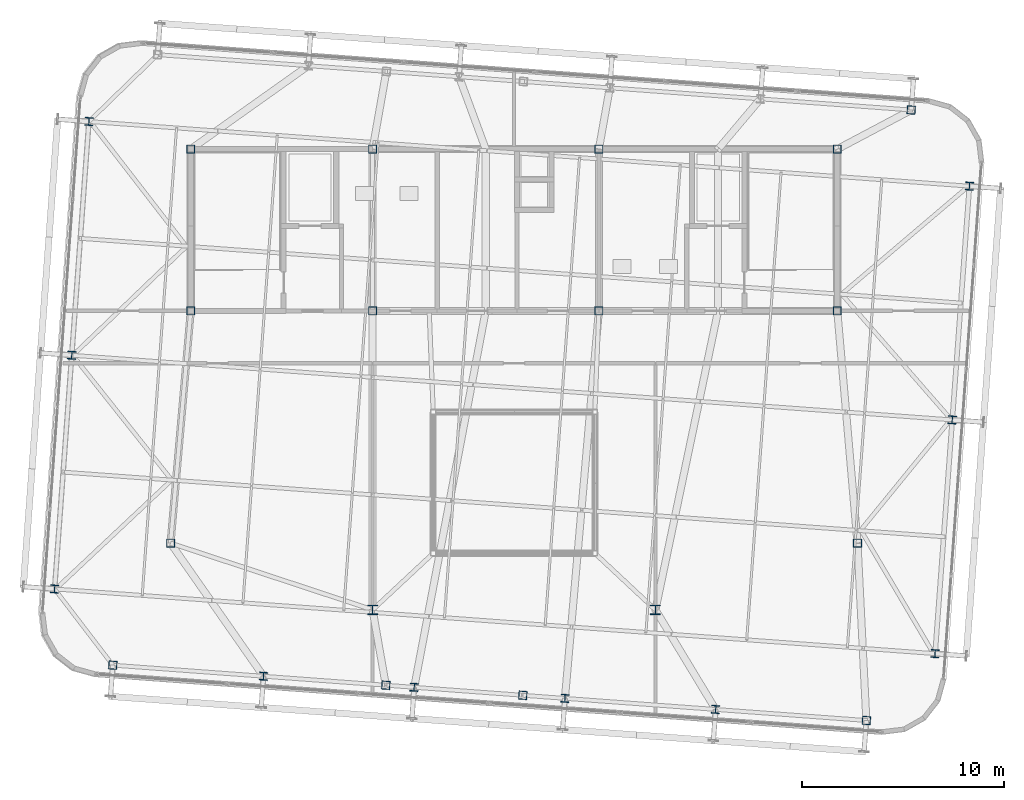
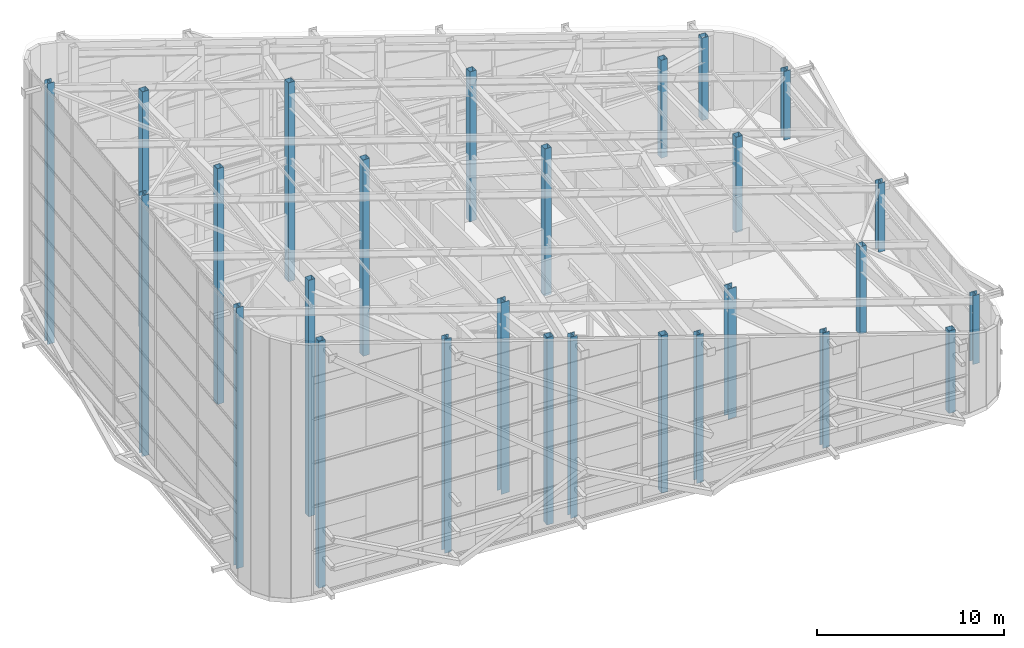
# One storey, part 1 of 56: 27 columns.
"""IFC4 building model written with IfcOpenShell, lengths in metres."""

from ifc_helpers import new_model, si_unit, direction, frame, origin, origin_2d, place, context, subcontext, project, spatial, hollow_rectangle, i_section, extrude, source, transform, mapped, material, material_profile, profile_set, type_object, element, save


model = new_model("IFC4")

# Units and contexts
model_context = context("Model", 3, precision=1e-05, world=origin(), true_north=direction((0.0, 1.0)))
body_context = subcontext(model_context, "Body", "Model", "MODEL_VIEW")
ifc_project = project(units=[si_unit("LENGTHUNIT", "METRE"), si_unit("AREAUNIT", "SQUARE_METRE"), si_unit("VOLUMEUNIT", "CUBIC_METRE"), si_unit("PLANEANGLEUNIT", "RADIAN"), si_unit("MASSUNIT", "GRAM", prefix="KILO")], contexts=[model_context])

# Site, building, storey
site_placement = place(None, origin())
site = spatial("IfcSite", under=ifc_project, at=site_placement, CompositionType="ELEMENT")
building_placement = place(site_placement, origin())
building = spatial("IfcBuilding", under=site, at=building_placement, Name="Taldren Reach Tower", CompositionType="ELEMENT")
storey_placement = place(building_placement, frame((0.0, 0.0, 253.050048828125)))
storey = spatial("IfcBuildingStorey", under=building, at=storey_placement, Name="L77", CompositionType="ELEMENT", Elevation=253.050048828125)

# Columns
ifc_material_1 = material(Name="Steel Gr 450 (C450L0)", Category="steel")
ifc_material_profile_1 = material_profile(ifc_material_1, hollow_rectangle(XDim=0.39990234375, YDim=0.39990234375, WallThickness=0.01611328125, at=origin_2d()), Name="400x400x16.0SHS")
ifc_profile_set_1 = profile_set([ifc_material_profile_1], Name="Steel Gr 450 (C450L0)")
column_type_1 = type_object("IfcColumnType", Name="COL-SHS400", PredefinedType="COLUMN", material=ifc_profile_set_1)
shared_shape_1 = source(origin(), body_context, "Body", "SweptSolid", [
    extrude(hollow_rectangle(XDim=0.39990234375, YDim=0.39990234375, WallThickness=0.01611328125, at=origin_2d()), origin(), (0.0, 0.0, 1.0), 15.37548828125),
])
column_1_placement = place(storey_placement, frame((19.0, 24.0, 0.0), z_axis=(0.0, 0.0, 1.0), x_axis=(1.0, 0.0, 0.0)))
element("IfcColumn", 1, at=column_1_placement, inside=storey, type_object=column_type_1, Name="Mega column MC-C1 L77", PredefinedType="COLUMN", context=body_context, shape_type="MappedRepresentation", body=[
    mapped(shared_shape_1, transform((0.0, 0.0, 0.0), scale=1.0)),
])
shared_shape_2 = source(origin(), body_context, "Body", "SweptSolid", [
    extrude(hollow_rectangle(XDim=0.39990234375, YDim=0.39990234375, WallThickness=0.01611328125, at=origin_2d()), origin(), (0.0, 0.0, 1.0), 12.802490234375),
])
column_2_placement = place(storey_placement, frame((28.0, 24.0, 0.0), z_axis=(0.0, 0.0, 1.0), x_axis=(1.0, 0.0, 0.0)))
element("IfcColumn", 2, at=column_2_placement, inside=storey, type_object=column_type_1, Name="Mega column MC-C2 L77", PredefinedType="COLUMN", context=body_context, shape_type="MappedRepresentation", body=[
    mapped(shared_shape_2, transform((0.0, 0.0, 0.0), scale=1.0)),
])
shared_shape_3 = source(origin(), body_context, "Body", "SweptSolid", [
    extrude(hollow_rectangle(XDim=0.39990234375, YDim=0.39990234375, WallThickness=0.01611328125, at=origin_2d()), origin(), (0.0, 0.0, 1.0), 9.600341796875),
])
column_3_placement = place(storey_placement, frame((39.199951171875, 24.0, 0.0), z_axis=(0.0, 0.0, 1.0), x_axis=(1.0, 0.0, 0.0)))
element("IfcColumn", 3, at=column_3_placement, inside=storey, type_object=column_type_1, Name="Mega column MC-C3 L77", PredefinedType="COLUMN", context=body_context, shape_type="MappedRepresentation", body=[
    mapped(shared_shape_3, transform((0.0, 0.0, 0.0), scale=1.0)),
])
shared_shape_4 = source(origin(), body_context, "Body", "SweptSolid", [
    extrude(hollow_rectangle(XDim=0.39990234375, YDim=0.39990234375, WallThickness=0.01611328125, at=origin_2d()), origin(), (0.0, 0.0, 1.0), 6.226806640625),
])
column_4_placement = place(storey_placement, frame((51.0, 24.0, 0.0), z_axis=(0.0, 0.0, 1.0), x_axis=(1.0, 0.0, 0.0)))
element("IfcColumn", 4, at=column_4_placement, inside=storey, type_object=column_type_1, Name="Mega column MC-C4 L77", PredefinedType="COLUMN", context=body_context, shape_type="MappedRepresentation", body=[
    mapped(shared_shape_4, transform((0.0, 0.0, 0.0), scale=1.0)),
])
shared_shape_5 = source(origin(), body_context, "Body", "SweptSolid", [
    extrude(hollow_rectangle(XDim=0.39990234375, YDim=0.39990234375, WallThickness=0.01611328125, at=origin_2d()), origin(), (0.0, 0.0, 1.0), 15.54345703125),
])
column_5_placement = place(storey_placement, frame((19.0, 32.0, 0.0), z_axis=(0.0, 0.0, 1.0), x_axis=(1.0, 0.0, 0.0)))
element("IfcColumn", 5, at=column_5_placement, inside=storey, type_object=column_type_1, Name="Mega column MC-C5 L77", PredefinedType="COLUMN", context=body_context, shape_type="MappedRepresentation", body=[
    mapped(shared_shape_5, transform((0.0, 0.0, 0.0), scale=1.0)),
])
shared_shape_6 = source(origin(), body_context, "Body", "SweptSolid", [
    extrude(hollow_rectangle(XDim=0.39990234375, YDim=0.39990234375, WallThickness=0.01611328125, at=origin_2d()), origin(), (0.0, 0.0, 1.0), 12.970458984375),
])
column_6_placement = place(storey_placement, frame((28.0, 32.0, 0.0), z_axis=(0.0, 0.0, 1.0), x_axis=(1.0, 0.0, 0.0)))
element("IfcColumn", 6, at=column_6_placement, inside=storey, type_object=column_type_1, Name="Mega column MC-C6 L77", PredefinedType="COLUMN", context=body_context, shape_type="MappedRepresentation", body=[
    mapped(shared_shape_6, transform((0.0, 0.0, 0.0), scale=1.0)),
])
shared_shape_7 = source(origin(), body_context, "Body", "SweptSolid", [
    extrude(hollow_rectangle(XDim=0.39990234375, YDim=0.39990234375, WallThickness=0.01611328125, at=origin_2d()), origin(), (0.0, 0.0, 1.0), 9.768310546875),
])
column_7_placement = place(storey_placement, frame((39.199951171875, 32.0, 0.0), z_axis=(0.0, 0.0, 1.0), x_axis=(1.0, 0.0, 0.0)))
element("IfcColumn", 7, at=column_7_placement, inside=storey, type_object=column_type_1, Name="Mega column MC-C7 L77", PredefinedType="COLUMN", context=body_context, shape_type="MappedRepresentation", body=[
    mapped(shared_shape_7, transform((0.0, 0.0, 0.0), scale=1.0)),
])
shared_shape_8 = source(origin(), body_context, "Body", "SweptSolid", [
    extrude(hollow_rectangle(XDim=0.39990234375, YDim=0.39990234375, WallThickness=0.01611328125, at=origin_2d()), origin(), (0.0, 0.0, 1.0), 6.394775390625),
])
column_8_placement = place(storey_placement, frame((51.0, 32.0, 0.0), z_axis=(0.0, 0.0, 1.0), x_axis=(1.0, 0.0, 0.0)))
element("IfcColumn", 8, at=column_8_placement, inside=storey, type_object=column_type_1, Name="Mega column MC-C8 L77", PredefinedType="COLUMN", context=body_context, shape_type="MappedRepresentation", body=[
    mapped(shared_shape_8, transform((0.0, 0.0, 0.0), scale=1.0)),
])
ifc_material_2 = material(Name="Steel Gr 350 (350PLUS)", Category="steel")
ifc_material_profile_2 = material_profile(ifc_material_2, i_section(OverallWidth=0.5, OverallDepth=0.464111328125, WebThickness=0.02197265625, FlangeThickness=0.033935546875, at=origin_2d()), Name="500WC340")
ifc_profile_set_2 = profile_set([ifc_material_profile_2], Name="Steel Gr 350 (350PLUS)")
column_type_2 = type_object("IfcColumnType", Name="COL-WC500B", PredefinedType="COLUMN", material=ifc_profile_set_2)
shared_shape_9 = source(origin(), body_context, "Body", "SweptSolid", [
    extrude(i_section(OverallWidth=0.5, OverallDepth=0.464111328125, WebThickness=0.02197265625, FlangeThickness=0.033935546875, at=origin_2d()), origin(), (0.0, 0.0, 1.0), 12.49169921875),
])
column_9_placement = place(storey_placement, frame((28.0, 9.199951171875, 0.0), z_axis=(0.0, 0.0, 1.0), x_axis=(1.0, 0.0, 0.0)))
element("IfcColumn", 9, at=column_9_placement, inside=storey, type_object=column_type_2, Name="Mega column MC-PJW L77", PredefinedType="COLUMN", context=body_context, shape_type="MappedRepresentation", body=[
    mapped(shared_shape_9, transform((0.0, 0.0, 0.0), scale=1.0)),
])
shared_shape_10 = source(origin(), body_context, "Body", "SweptSolid", [
    extrude(i_section(OverallWidth=0.5, OverallDepth=0.464111328125, WebThickness=0.02197265625, FlangeThickness=0.033935546875, at=origin_2d()), origin(), (0.0, 0.0, 1.0), 8.4892578125),
])
column_10_placement = place(storey_placement, frame((42.0, 9.199951171875, 0.0), z_axis=(0.0, 0.0, 1.0), x_axis=(1.0, 0.0, 0.0)))
element("IfcColumn", 10, at=column_10_placement, inside=storey, type_object=column_type_2, Name="Mega column MC-PJE L77", PredefinedType="COLUMN", context=body_context, shape_type="MappedRepresentation", body=[
    mapped(shared_shape_10, transform((0.0, 0.0, 0.0), scale=1.0)),
])
shared_shape_11 = source(origin(), body_context, "Body", "SweptSolid", [
    extrude(hollow_rectangle(XDim=0.39990234375, YDim=0.39990234375, WallThickness=0.01611328125, at=origin_2d()), origin(), (0.0, 0.0, 1.0), 15.419921875),
])
column_11_placement = place(storey_placement, frame((18.0, 12.5, 0.0), z_axis=(0.0, 0.0, 1.0), x_axis=(1.0, 0.0, 0.0)))
element("IfcColumn", 11, at=column_11_placement, inside=storey, type_object=column_type_1, Name="Mega column MC-SW L77", PredefinedType="COLUMN", context=body_context, shape_type="MappedRepresentation", body=[
    mapped(shared_shape_11, transform((0.0, 0.0, 0.0), scale=1.0)),
])
shared_shape_12 = source(origin(), body_context, "Body", "SweptSolid", [
    extrude(hollow_rectangle(XDim=0.39990234375, YDim=0.39990234375, WallThickness=0.01611328125, at=origin_2d()), origin(), (0.0, 0.0, 1.0), 5.699462890625),
])
column_12_placement = place(storey_placement, frame((52.0, 12.5, 0.0), z_axis=(0.0, 0.0, 1.0), x_axis=(1.0, 0.0, 0.0)))
element("IfcColumn", 12, at=column_12_placement, inside=storey, type_object=column_type_1, Name="Mega column MC-SE L77", PredefinedType="COLUMN", context=body_context, shape_type="MappedRepresentation", body=[
    mapped(shared_shape_12, transform((0.0, 0.0, 0.0), scale=1.0)),
])
shared_shape_13 = source(origin(), body_context, "Body", "SweptSolid", [
    extrude(hollow_rectangle(XDim=0.39990234375, YDim=0.39990234375, WallThickness=0.01611328125, at=origin_2d()), origin(), (0.0, 0.0, 1.0), 16.110595703125),
])
column_13_placement = place(storey_placement, frame((15.140625, 6.460205078125, 0.0), z_axis=(0.0, 0.0, 1.0), x_axis=(0.997314477224, -0.073238197128, 0.0)))
element("IfcColumn", 13, at=column_13_placement, inside=storey, type_object=column_type_1, Name="Block B5 perimeter column S1 L77", PredefinedType="COLUMN", context=body_context, shape_type="MappedRepresentation", body=[
    mapped(shared_shape_13, transform((0.0, 0.0, 0.0), scale=1.0)),
])
ifc_material_profile_3 = material_profile(ifc_material_2, i_section(OverallWidth=0.39990234375, OverallDepth=0.39599609375, WebThickness=0.02197265625, FlangeThickness=0.033935546875, at=origin_2d()), Name="400WC270")
ifc_profile_set_3 = profile_set([ifc_material_profile_3], Name="Steel Gr 350 (350PLUS)")
column_type_3 = type_object("IfcColumnType", Name="COL-WC400", PredefinedType="COLUMN", material=ifc_profile_set_3)
shared_shape_14 = source(origin(), body_context, "Body", "SweptSolid", [
    extrude(i_section(OverallWidth=0.39990234375, OverallDepth=0.39599609375, WebThickness=0.02197265625, FlangeThickness=0.033935546875, at=origin_2d()), origin(), (0.0, 0.0, 1.0), 13.96630859375),
])
column_14_placement = place(storey_placement, frame((22.6005859375, 5.912353515625, 0.0), z_axis=(0.0, 0.0, 1.0), x_axis=(0.997314477224, -0.073238197128, 0.0)))
element("IfcColumn", 14, at=column_14_placement, inside=storey, type_object=column_type_3, Name="Block B5 perimeter column S2 L77", PredefinedType="COLUMN", context=body_context, shape_type="MappedRepresentation", body=[
    mapped(shared_shape_14, transform((0.0, 0.0, 0.0), scale=1.0)),
])
shared_shape_15 = source(origin(), body_context, "Body", "SweptSolid", [
    extrude(i_section(OverallWidth=0.39990234375, OverallDepth=0.39599609375, WebThickness=0.02197265625, FlangeThickness=0.033935546875, at=origin_2d()), origin(), (0.0, 0.0, 1.0), 11.822021484375),
])
column_15_placement = place(storey_placement, frame((30.060546875, 5.364501953125, 0.0), z_axis=(0.0, 0.0, 1.0), x_axis=(0.997314477224, -0.073238197128, 0.0)))
element("IfcColumn", 15, at=column_15_placement, inside=storey, type_object=column_type_3, Name="Block B5 perimeter column S3 L77", PredefinedType="COLUMN", context=body_context, shape_type="MappedRepresentation", body=[
    mapped(shared_shape_15, transform((0.0, 0.0, 0.0), scale=1.0)),
])
shared_shape_16 = source(origin(), body_context, "Body", "SweptSolid", [
    extrude(i_section(OverallWidth=0.39990234375, OverallDepth=0.39599609375, WebThickness=0.02197265625, FlangeThickness=0.033935546875, at=origin_2d()), origin(), (0.0, 0.0, 1.0), 9.677734375),
])
column_16_placement = place(storey_placement, frame((37.5205078125, 4.81689453125, 0.0), z_axis=(0.0, 0.0, 1.0), x_axis=(0.997314477224, -0.073238197128, 0.0)))
element("IfcColumn", 16, at=column_16_placement, inside=storey, type_object=column_type_3, Name="Block B5 perimeter column S4 L77", PredefinedType="COLUMN", context=body_context, shape_type="MappedRepresentation", body=[
    mapped(shared_shape_16, transform((0.0, 0.0, 0.0), scale=1.0)),
])
shared_shape_17 = source(origin(), body_context, "Body", "SweptSolid", [
    extrude(i_section(OverallWidth=0.39990234375, OverallDepth=0.39599609375, WebThickness=0.02197265625, FlangeThickness=0.033935546875, at=origin_2d()), origin(), (0.0, 0.0, 1.0), 7.533447265625),
])
column_17_placement = place(storey_placement, frame((44.980224609375, 4.26904296875, 0.0), z_axis=(0.0, 0.0, 1.0), x_axis=(0.997314477224, -0.073238197128, 0.0)))
element("IfcColumn", 17, at=column_17_placement, inside=storey, type_object=column_type_3, Name="Block B5 perimeter column S5 L77", PredefinedType="COLUMN", context=body_context, shape_type="MappedRepresentation", body=[
    mapped(shared_shape_17, transform((0.0, 0.0, 0.0), scale=1.0)),
])
shared_shape_18 = source(origin(), body_context, "Body", "SweptSolid", [
    extrude(hollow_rectangle(XDim=0.39990234375, YDim=0.39990234375, WallThickness=0.01611328125, at=origin_2d()), origin(), (0.0, 0.0, 1.0), 5.389404296875),
])
for number, where, z_axis, x_axis, name in (
    (18, (52.440185546875, 3.72119140625, 0.0), (0.0, 0.0, 1.0), (0.997314477224, -0.073238197128, 0.0), "Block B5 perimeter column S6 L77"),
    (19, (54.659423828125, 33.939697265625, 0.0), (0.0, 0.0, 1.0), (0.997314477224, -0.073238197128, 0.0), "Block B5 perimeter column N6 L77"),
):
    element("IfcColumn", number, at=place(storey_placement, frame(where, z_axis=z_axis, x_axis=x_axis)), inside=storey, type_object=column_type_1, Name=name, PredefinedType="COLUMN", context=body_context, shape_type="MappedRepresentation", body=[
        mapped(shared_shape_18, transform((0.0, 0.0, 0.0), scale=1.0)),
    ])
shared_shape_19 = source(origin(), body_context, "Body", "SweptSolid", [
    extrude(i_section(OverallWidth=0.39990234375, OverallDepth=0.39599609375, WebThickness=0.02197265625, FlangeThickness=0.033935546875, at=origin_2d()), origin(), (0.0, 0.0, 1.0), 17.013671875),
])
for number, where, z_axis, x_axis, name in (
    (20, (12.259033203125, 10.2314453125, 0.0), (0.0, 0.0, 1.0), (0.997314477224, -0.073238197128, 0.0), "Block B5 perimeter column W1 L77"),
    (21, (13.108642578125, 21.80029296875, 0.0), (0.0, 0.0, 1.0), (0.997314477224, -0.073238197128, 0.0), "Block B5 perimeter column W2 L77"),
    (22, (13.958251953125, 33.369140625, 0.0), (0.0, 0.0, 1.0), (0.997314477224, -0.073238197128, 0.0), "Block B5 perimeter column W3 L77"),
):
    element("IfcColumn", number, at=place(storey_placement, frame(where, z_axis=z_axis, x_axis=x_axis)), inside=storey, type_object=column_type_3, Name=name, PredefinedType="COLUMN", context=body_context, shape_type="MappedRepresentation", body=[
        mapped(shared_shape_19, transform((0.0, 0.0, 0.0), scale=1.0)),
    ])
shared_shape_20 = source(origin(), body_context, "Body", "SweptSolid", [
    extrude(i_section(OverallWidth=0.39990234375, OverallDepth=0.39599609375, WebThickness=0.02197265625, FlangeThickness=0.033935546875, at=origin_2d()), origin(), (0.0, 0.0, 1.0), 4.486328125),
])
for number, where, z_axis, x_axis, name in (
    (23, (55.841796875, 7.031005859375, 0.0), (0.0, 0.0, 1.0), (0.997314477224, -0.073238197128, 0.0), "Block B5 perimeter column E1 L77"),
    (24, (56.69140625, 18.599853515625, 0.0), (0.0, 0.0, 1.0), (0.997314477224, -0.073238197128, 0.0), "Block B5 perimeter column E2 L77"),
    (25, (57.540771484375, 30.168701171875, 0.0), (0.0, 0.0, 1.0), (0.997314477224, -0.073238197128, 0.0), "Block B5 perimeter column E3 L77"),
):
    element("IfcColumn", number, at=place(storey_placement, frame(where, z_axis=z_axis, x_axis=x_axis)), inside=storey, type_object=column_type_3, Name=name, PredefinedType="COLUMN", context=body_context, shape_type="MappedRepresentation", body=[
        mapped(shared_shape_20, transform((0.0, 0.0, 0.0), scale=1.0)),
    ])
shared_shape_21 = source(origin(), body_context, "Body", "SweptSolid", [
    extrude(hollow_rectangle(XDim=0.39990234375, YDim=0.39990234375, WallThickness=0.01611328125, at=origin_2d()), origin(), (0.0, 0.0, 1.0), 12.226318359375),
])
column_18_placement = place(storey_placement, frame((28.654296875, 5.4677734375, 0.0), z_axis=(0.0, 0.0, 1.0), x_axis=(0.997314477224, -0.073238197128, 0.0)))
element("IfcColumn", 26, at=column_18_placement, inside=storey, type_object=column_type_1, Name="Block B5 perimeter column PJ1 L77", PredefinedType="COLUMN", context=body_context, shape_type="MappedRepresentation", body=[
    mapped(shared_shape_21, transform((0.0, 0.0, 0.0), scale=1.0)),
])
shared_shape_22 = source(origin(), body_context, "Body", "SweptSolid", [
    extrude(hollow_rectangle(XDim=0.39990234375, YDim=0.39990234375, WallThickness=0.01611328125, at=origin_2d()), origin(), (0.0, 0.0, 1.0), 10.27685546875),
])
column_19_placement = place(storey_placement, frame((35.43603515625, 4.9697265625, 0.0), z_axis=(0.0, 0.0, 1.0), x_axis=(0.997314477224, -0.073238197128, 0.0)))
element("IfcColumn", 27, at=column_19_placement, inside=storey, type_object=column_type_1, Name="Block B5 perimeter column PJ2 L77", PredefinedType="COLUMN", context=body_context, shape_type="MappedRepresentation", body=[
    mapped(shared_shape_22, transform((0.0, 0.0, 0.0), scale=1.0)),
])

save(model, "model.ifc")
